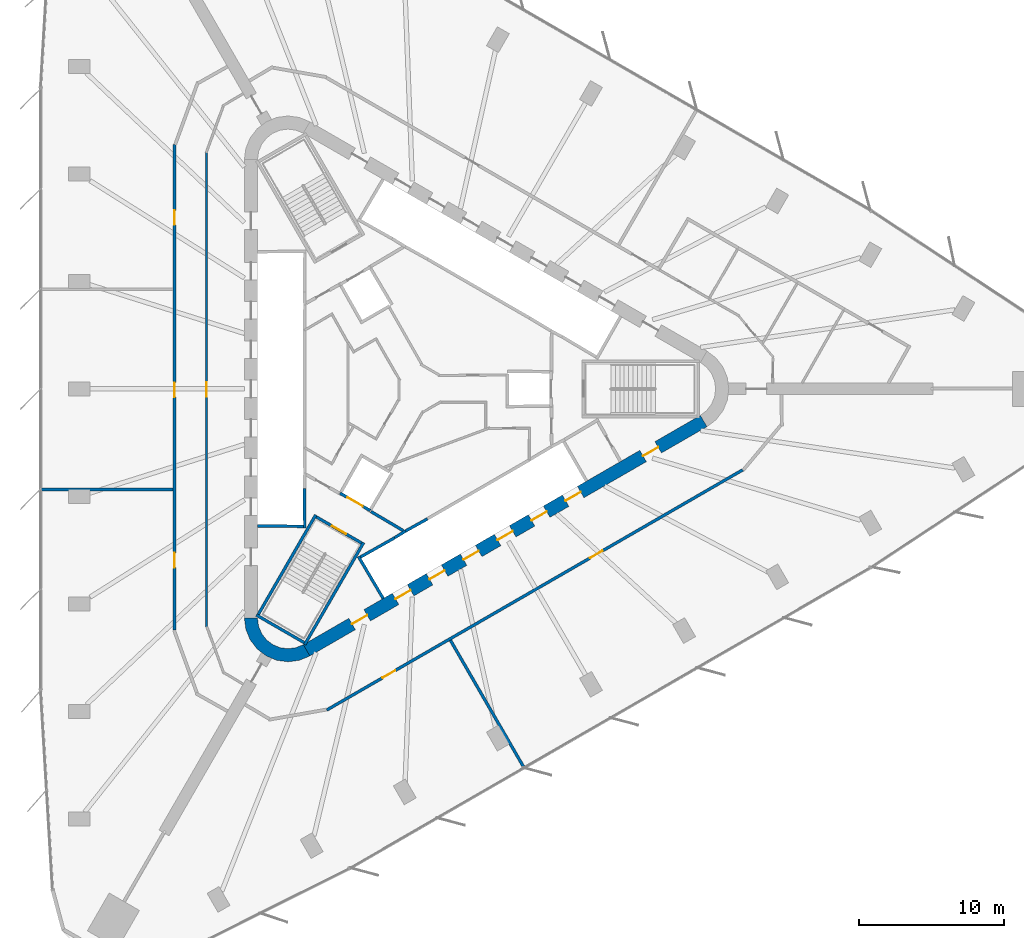
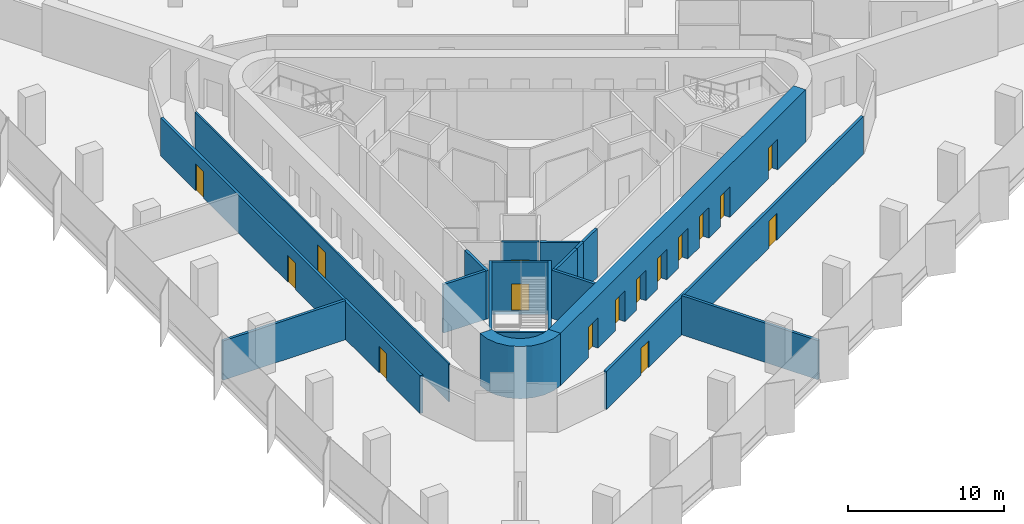
# One storey, part 9 of 14: 19 walls, 16 doors, 16 openings.
"""IFC4 building model written with IfcOpenShell, lengths in metres."""

from ifc_helpers import new_model, si_unit, direction, frame, frame_2d, origin, place, context, subcontext, project, spatial, polyline, rectangle, outline, extrude, material, layer, layer_set, type_object, element, fill, save


model = new_model("IFC4")

# Units and contexts
model_context = context("Model", 3, precision=1e-05, world=origin(), true_north=direction((0.0, 1.0)))
body_context = subcontext(model_context, "Body", "Model", "MODEL_VIEW")
ifc_project = project(units=[si_unit("LENGTHUNIT", "METRE"), si_unit("AREAUNIT", "SQUARE_METRE"), si_unit("VOLUMEUNIT", "CUBIC_METRE"), si_unit("PLANEANGLEUNIT", "RADIAN"), si_unit("MASSUNIT", "GRAM", prefix="KILO")], contexts=[model_context])

# Site, building, storey
site_placement = place(None, origin())
site = spatial("IfcSite", under=ifc_project, at=site_placement, CompositionType="ELEMENT")
building_placement = place(site_placement, origin())
building = spatial("IfcBuilding", under=site, at=building_placement, Name="Tanit Gate Tower", CompositionType="ELEMENT")
storey_placement = place(building_placement, frame((0.0, 0.0, 45.5)))
storey = spatial("IfcBuildingStorey", under=building, at=storey_placement, Name="L07", CompositionType="ELEMENT", Elevation=45.5)

# Wall, openings, doors
ifc_material_1 = material(Name="Concrete C60/75", Category="concrete")
ifc_layer_1 = layer(ifc_material_1, 0.89990234375)
ifc_layer_set_1 = layer_set([ifc_layer_1], Name="CORE WALL 900 C60/75")
wall_type_1 = type_object("IfcWallType", Name="CORE WALL 900 C60/75", PredefinedType="SHEAR", material=ifc_layer_set_1)
wall_1_placement = place(storey_placement, frame((-7.824951171875, -17.969970703125, 0.0), z_axis=(0.0, 0.0, 1.0), x_axis=(0.866028369851, 0.499994862586, 0.0)))
wall_1 = element("IfcWall", 1, at=wall_1_placement, inside=storey, type_object=wall_type_1, Name="CORE WALL", PredefinedType="SHEAR", context=body_context, shape_type="SweptSolid", body=[
    extrude(rectangle(XDim=31.523193359375, YDim=0.89990234375, at=frame_2d((15.76171875, 0.0))), origin(), (0.0, 0.0, 1.0), 4.10009765625),
])
opening_1_placement = place(wall_1_placement, frame((7.061767578125, 0.0, 0.0)))
opening_1 = element("IfcOpeningElement", 2, at=opening_1_placement, cuts=wall_1, Name="Opening LDSX1-S00", PredefinedType="OPENING", context=body_context, shape_type="SweptSolid", body=[
    extrude(rectangle(XDim=1.199951171875, YDim=2.39990234375, at=frame_2d((0.60009765625, 1.199951171875))), frame((0.0, 0.4599609375, 0.0), z_axis=(0.0, -1.0, 0.0), x_axis=(1.0, 0.0, 0.0)), (0.0, 0.0, 1.0), 0.919921875),
])
opening_2_placement = place(wall_1_placement, frame((9.76171875, 0.0, 0.0)))
opening_2 = element("IfcOpeningElement", 3, at=opening_2_placement, cuts=wall_1, Name="Opening LDSX2-S00", PredefinedType="OPENING", context=body_context, shape_type="SweptSolid", body=[
    extrude(rectangle(XDim=1.199951171875, YDim=2.39990234375, at=frame_2d((0.60009765625, 1.199951171875))), frame((0.0, 0.4599609375, 0.0), z_axis=(0.0, -1.0, 0.0), x_axis=(1.0, 0.0, 0.0)), (0.0, 0.0, 1.0), 0.919921875),
])
opening_3_placement = place(wall_1_placement, frame((12.461669921875, 0.0, 0.0)))
opening_3 = element("IfcOpeningElement", 4, at=opening_3_placement, cuts=wall_1, Name="Opening LDSX3-S00", PredefinedType="OPENING", context=body_context, shape_type="SweptSolid", body=[
    extrude(rectangle(XDim=1.199951171875, YDim=2.39990234375, at=frame_2d((0.60009765625, 1.199951171875))), frame((0.0, 0.4599609375, 0.0), z_axis=(0.0, -1.0, 0.0), x_axis=(1.0, 0.0, 0.0)), (0.0, 0.0, 1.0), 0.919921875),
])
opening_4_placement = place(wall_1_placement, frame((15.16162109375, 0.0, 0.0)))
opening_4 = element("IfcOpeningElement", 5, at=opening_4_placement, cuts=wall_1, Name="Opening LDSX4-S00", PredefinedType="OPENING", context=body_context, shape_type="SweptSolid", body=[
    extrude(rectangle(XDim=1.199951171875, YDim=2.39990234375, at=frame_2d((0.60009765625, 1.199951171875))), frame((0.0, 0.4599609375, 0.0), z_axis=(0.0, -1.0, 0.0), x_axis=(1.0, 0.0, 0.0)), (0.0, 0.0, 1.0), 0.919921875),
])
opening_5_placement = place(wall_1_placement, frame((17.861572265625, 0.0, 0.0)))
opening_5 = element("IfcOpeningElement", 6, at=opening_5_placement, cuts=wall_1, Name="Opening LDSV1-S00", PredefinedType="OPENING", context=body_context, shape_type="SweptSolid", body=[
    extrude(rectangle(XDim=1.199951171875, YDim=2.39990234375, at=frame_2d((0.60009765625, 1.199951171875))), frame((0.0, 0.4599609375, 0.0), z_axis=(0.0, -1.0, 0.0), x_axis=(1.0, 0.0, 0.0)), (0.0, 0.0, 1.0), 0.919921875),
])
opening_6_placement = place(wall_1_placement, frame((20.561767578125, 0.0, 0.0)))
opening_6 = element("IfcOpeningElement", 7, at=opening_6_placement, cuts=wall_1, Name="Opening LDSV2-S00", PredefinedType="OPENING", context=body_context, shape_type="SweptSolid", body=[
    extrude(rectangle(XDim=1.199951171875, YDim=2.39990234375, at=frame_2d((0.60009765625, 1.199951171875))), frame((0.0, 0.4599609375, 0.0), z_axis=(0.0, -1.0, 0.0), x_axis=(1.0, 0.0, 0.0)), (0.0, 0.0, 1.0), 0.919921875),
])
opening_7_placement = place(wall_1_placement, frame((26.711669921875, 0.0, 0.0)))
opening_7 = element("IfcOpeningElement", 8, at=opening_7_placement, cuts=wall_1, Name="Opening F12-S00-S1", PredefinedType="OPENING", context=body_context, shape_type="SweptSolid", body=[
    extrude(rectangle(XDim=1.199951171875, YDim=2.39990234375, at=frame_2d((0.60009765625, 1.199951171875))), frame((0.0, 0.4599609375, 0.0), z_axis=(0.0, -1.0, 0.0), x_axis=(1.0, 0.0, 0.0)), (0.0, 0.0, 1.0), 0.919921875),
])
opening_8_placement = place(wall_1_placement, frame((3.611572265625, 0.0, 0.0)))
opening_8 = element("IfcOpeningElement", 9, at=opening_8_placement, cuts=wall_1, Name="Opening F12-S00-FL3", PredefinedType="OPENING", context=body_context, shape_type="SweptSolid", body=[
    extrude(rectangle(XDim=1.199951171875, YDim=2.39990234375, at=frame_2d((0.60009765625, 1.199951171875))), frame((0.0, 0.4599609375, 0.0), z_axis=(0.0, -1.0, 0.0), x_axis=(1.0, 0.0, 0.0)), (0.0, 0.0, 1.0), 0.919921875),
])
ifc_material_2 = material(Name="Fire-rated steel door leaf", Category="steel")
door_type_1 = type_object("IfcDoorType", Name="INT-DOOR-FIRE-LOBBY-1200", OperationType="NOTDEFINED", PredefinedType="USERDEFINED", material=ifc_material_2)
door_1_placement = place(opening_7_placement, origin())
door_1 = element("IfcDoor", 10, at=door_1_placement, inside=storey, type_object=door_type_1, Name="Door F12-S00-S1", ObjectType="FIRE DOOR", OperationType="SINGLE_SWING_RIGHT", OverallHeight=2.39990234375, OverallWidth=1.199951171875, PredefinedType="USERDEFINED", context=body_context, shape_type="SweptSolid", body=[
    extrude(rectangle(XDim=1.199951171875, YDim=2.39990234375, at=frame_2d((0.60009765625, 1.199951171875))), frame((0.0, 0.02490234375, 0.0), z_axis=(0.0, -1.0, 0.0), x_axis=(1.0, 0.0, 0.0)), (0.0, 0.0, 1.0), 0.050048828125),
])
fill(opening_7, door_1)
door_2_placement = place(opening_8_placement, origin())
door_2 = element("IfcDoor", 11, at=door_2_placement, inside=storey, type_object=door_type_1, Name="Door F12-S00-FL3", ObjectType="FIRE DOOR", OperationType="SINGLE_SWING_LEFT", OverallHeight=2.39990234375, OverallWidth=1.199951171875, PredefinedType="USERDEFINED", context=body_context, shape_type="SweptSolid", body=[
    extrude(rectangle(XDim=1.199951171875, YDim=2.39990234375, at=frame_2d((0.60009765625, 1.199951171875))), frame((0.0, 0.02490234375, 0.0), z_axis=(0.0, -1.0, 0.0), x_axis=(1.0, 0.0, 0.0)), (0.0, 0.0, 1.0), 0.050048828125),
])
fill(opening_8, door_2)
ifc_material_3 = material(Name="Stainless steel sliding door leaf", Category="steel")
door_type_2 = type_object("IfcDoorType", Name="INT-DOOR-LANDING-1200", OperationType="NOTDEFINED", PredefinedType="USERDEFINED", material=ifc_material_3)
door_3_placement = place(opening_1_placement, origin())
door_3 = element("IfcDoor", 12, at=door_3_placement, inside=storey, type_object=door_type_2, Name="Door LDSX1-S00", ObjectType="LANDING DOOR", OperationType="SLIDING_TO_LEFT", OverallHeight=2.39990234375, OverallWidth=1.199951171875, PredefinedType="USERDEFINED", context=body_context, shape_type="SweptSolid", body=[
    extrude(rectangle(XDim=1.199951171875, YDim=2.39990234375, at=frame_2d((0.60009765625, 1.199951171875))), frame((0.0, 0.02490234375, 0.0), z_axis=(0.0, -1.0, 0.0), x_axis=(1.0, 0.0, 0.0)), (0.0, 0.0, 1.0), 0.050048828125),
])
fill(opening_1, door_3)
door_4_placement = place(opening_2_placement, origin())
door_4 = element("IfcDoor", 13, at=door_4_placement, inside=storey, type_object=door_type_2, Name="Door LDSX2-S00", ObjectType="LANDING DOOR", OperationType="SLIDING_TO_LEFT", OverallHeight=2.39990234375, OverallWidth=1.199951171875, PredefinedType="USERDEFINED", context=body_context, shape_type="SweptSolid", body=[
    extrude(rectangle(XDim=1.199951171875, YDim=2.39990234375, at=frame_2d((0.60009765625, 1.199951171875))), frame((0.0, 0.02490234375, 0.0), z_axis=(0.0, -1.0, 0.0), x_axis=(1.0, 0.0, 0.0)), (0.0, 0.0, 1.0), 0.050048828125),
])
fill(opening_2, door_4)
door_5_placement = place(opening_3_placement, origin())
door_5 = element("IfcDoor", 14, at=door_5_placement, inside=storey, type_object=door_type_2, Name="Door LDSX3-S00", ObjectType="LANDING DOOR", OperationType="SLIDING_TO_LEFT", OverallHeight=2.39990234375, OverallWidth=1.199951171875, PredefinedType="USERDEFINED", context=body_context, shape_type="SweptSolid", body=[
    extrude(rectangle(XDim=1.199951171875, YDim=2.39990234375, at=frame_2d((0.60009765625, 1.199951171875))), frame((0.0, 0.02490234375, 0.0), z_axis=(0.0, -1.0, 0.0), x_axis=(1.0, 0.0, 0.0)), (0.0, 0.0, 1.0), 0.050048828125),
])
fill(opening_3, door_5)
door_6_placement = place(opening_4_placement, origin())
door_6 = element("IfcDoor", 15, at=door_6_placement, inside=storey, type_object=door_type_2, Name="Door LDSX4-S00", ObjectType="LANDING DOOR", OperationType="SLIDING_TO_LEFT", OverallHeight=2.39990234375, OverallWidth=1.199951171875, PredefinedType="USERDEFINED", context=body_context, shape_type="SweptSolid", body=[
    extrude(rectangle(XDim=1.199951171875, YDim=2.39990234375, at=frame_2d((0.60009765625, 1.199951171875))), frame((0.0, 0.02490234375, 0.0), z_axis=(0.0, -1.0, 0.0), x_axis=(1.0, 0.0, 0.0)), (0.0, 0.0, 1.0), 0.050048828125),
])
fill(opening_4, door_6)
door_7_placement = place(opening_5_placement, origin())
door_7 = element("IfcDoor", 16, at=door_7_placement, inside=storey, type_object=door_type_2, Name="Door LDSV1-S00", ObjectType="LANDING DOOR", OperationType="SLIDING_TO_LEFT", OverallHeight=2.39990234375, OverallWidth=1.199951171875, PredefinedType="USERDEFINED", context=body_context, shape_type="SweptSolid", body=[
    extrude(rectangle(XDim=1.199951171875, YDim=2.39990234375, at=frame_2d((0.60009765625, 1.199951171875))), frame((0.0, 0.02490234375, 0.0), z_axis=(0.0, -1.0, 0.0), x_axis=(1.0, 0.0, 0.0)), (0.0, 0.0, 1.0), 0.050048828125),
])
fill(opening_5, door_7)
door_8_placement = place(opening_6_placement, origin())
door_8 = element("IfcDoor", 17, at=door_8_placement, inside=storey, type_object=door_type_2, Name="Door LDSV2-S00", ObjectType="LANDING DOOR", OperationType="SLIDING_TO_LEFT", OverallHeight=2.39990234375, OverallWidth=1.199951171875, PredefinedType="USERDEFINED", context=body_context, shape_type="SweptSolid", body=[
    extrude(rectangle(XDim=1.199951171875, YDim=2.39990234375, at=frame_2d((0.60009765625, 1.199951171875))), frame((0.0, 0.02490234375, 0.0), z_axis=(0.0, -1.0, 0.0), x_axis=(1.0, 0.0, 0.0)), (0.0, 0.0, 1.0), 0.050048828125),
])
fill(opening_6, door_8)

# Walls
wall_2_placement = place(storey_placement, origin())
element("IfcWall", 18, at=wall_2_placement, inside=storey, type_object=wall_type_1, Name="CORE WALL CORNER", PredefinedType="SHEAR", context=body_context, shape_type="SweptSolid", body=[
    extrude(outline(polyline([(-12.10009765625, -15.76171875), (-11.997802734375, -16.5380859375), (-11.697998046875, -17.26171875), (-11.22119140625, -17.883056640625), (-10.60009765625, -18.359619140625), (-9.87646484375, -18.659423828125), (-9.10009765625, -18.76171875), (-8.323486328125, -18.659423828125), (-7.60009765625, -18.359619140625), (-8.050048828125, -17.580322265625), (-8.556396484375, -17.7900390625), (-9.10009765625, -17.86181640625), (-9.6435546875, -17.7900390625), (-10.14990234375, -17.580322265625), (-10.5849609375, -17.24658203125), (-10.918701171875, -16.811767578125), (-11.12841796875, -16.30517578125), (-11.199951171875, -15.76171875), (-12.10009765625, -15.76171875)])), origin(), (0.0, 0.0, 1.0), 4.10009765625),
])
ifc_material_4 = material(Name="Fire-rated gypsum board partition")
ifc_layer_2 = layer(ifc_material_4, 0.199951171875)
ifc_layer_set_2 = layer_set([ifc_layer_2], Name="INT-WALL-COMPARTMENT")
wall_type_2 = type_object("IfcWallType", Name="INT-WALL-COMPARTMENT", PredefinedType="PARTITIONING", material=ifc_layer_set_2)
wall_3_placement = place(storey_placement, frame((-3.400634765625, -8.43017578125, 0.0), z_axis=(0.0, 0.0, 1.0), x_axis=(0.860615607571, -0.509255118781, 0.0)))
element("IfcWall", 19, at=wall_3_placement, inside=storey, type_object=wall_type_2, Name="Wall Compartment W063", PredefinedType="PARTITIONING", context=body_context, shape_type="SweptSolid", body=[
    extrude(rectangle(XDim=2.58056640625, YDim=0.199951171875, at=frame_2d((1.290283203125, 0.0))), origin(), (0.0, 0.0, 1.0), 3.800048828125),
])

# Wall, openings, doors
wall_4_placement = place(storey_placement, frame((-16.89990234375, 16.787353515625, 0.0), z_axis=(0.0, 0.0, 1.0), x_axis=(0.0, -1.0, 0.0)))
wall_4 = element("IfcWall", 20, at=wall_4_placement, inside=storey, type_object=wall_type_2, Name="Wall Compartment W097", PredefinedType="PARTITIONING", context=body_context, shape_type="SweptSolid", body=[
    extrude(rectangle(XDim=33.374755859375, YDim=0.199951171875, at=frame_2d((16.6875, 0.0))), origin(), (0.0, 0.0, 1.0), 2.97998046875),
])
opening_9_placement = place(wall_4_placement, frame((28.066650390625, 0.0, 0.0)))
opening_9 = element("IfcOpeningElement", 21, at=opening_9_placement, cuts=wall_4, Name="Opening F10-S00-21", PredefinedType="OPENING", context=body_context, shape_type="SweptSolid", body=[
    extrude(rectangle(XDim=1.0, YDim=2.10009765625, at=frame_2d((0.5, 1.050048828125))), frame((0.0, 0.10986328125, 0.0), z_axis=(0.0, -1.0, 0.0), x_axis=(1.0, 0.0, 0.0)), (0.0, 0.0, 1.0), 0.219970703125),
])
opening_10_placement = place(wall_4_placement, frame((16.3466796875, 0.0, 0.0)))
opening_10 = element("IfcOpeningElement", 22, at=opening_10_placement, cuts=wall_4, Name="Opening F10-S00-22", PredefinedType="OPENING", context=body_context, shape_type="SweptSolid", body=[
    extrude(rectangle(XDim=1.0, YDim=2.10009765625, at=frame_2d((0.5, 1.050048828125))), frame((0.0, 0.10986328125, 0.0), z_axis=(0.0, -1.0, 0.0), x_axis=(1.0, 0.0, 0.0)), (0.0, 0.0, 1.0), 0.219970703125),
])
opening_11_placement = place(wall_4_placement, frame((4.517578125, 0.0, 0.0)))
opening_11 = element("IfcOpeningElement", 23, at=opening_11_placement, cuts=wall_4, Name="Opening F10-S00-23", PredefinedType="OPENING", context=body_context, shape_type="SweptSolid", body=[
    extrude(rectangle(XDim=1.0, YDim=2.10009765625, at=frame_2d((0.5, 1.050048828125))), frame((0.0, 0.10986328125, 0.0), z_axis=(0.0, -1.0, 0.0), x_axis=(1.0, 0.0, 0.0)), (0.0, 0.0, 1.0), 0.219970703125),
])
ifc_material_5 = material(Name="Fire-rated steel door leaf", Category="steel")
door_type_3 = type_object("IfcDoorType", Name="INT-DOOR-FIRE-1000", OperationType="NOTDEFINED", PredefinedType="USERDEFINED", material=ifc_material_5)
door_9_placement = place(opening_9_placement, origin())
door_9 = element("IfcDoor", 24, at=door_9_placement, inside=storey, type_object=door_type_3, Name="Door F10-S00-21", ObjectType="FIRE DOOR", OperationType="SINGLE_SWING_RIGHT", OverallHeight=2.10009765625, OverallWidth=1.0, PredefinedType="USERDEFINED", context=body_context, shape_type="SweptSolid", body=[
    extrude(rectangle(XDim=1.0, YDim=2.10009765625, at=frame_2d((0.5, 1.050048828125))), frame((0.0, 0.02490234375, 0.0), z_axis=(0.0, -1.0, 0.0), x_axis=(1.0, 0.0, 0.0)), (0.0, 0.0, 1.0), 0.050048828125),
])
fill(opening_9, door_9)
door_10_placement = place(opening_10_placement, origin())
door_10 = element("IfcDoor", 25, at=door_10_placement, inside=storey, type_object=door_type_3, Name="Door F10-S00-22", ObjectType="FIRE DOOR", OperationType="SINGLE_SWING_LEFT", OverallHeight=2.10009765625, OverallWidth=1.0, PredefinedType="USERDEFINED", context=body_context, shape_type="SweptSolid", body=[
    extrude(rectangle(XDim=1.0, YDim=2.10009765625, at=frame_2d((0.5, 1.050048828125))), frame((0.0, 0.02490234375, 0.0), z_axis=(0.0, -1.0, 0.0), x_axis=(1.0, 0.0, 0.0)), (0.0, 0.0, 1.0), 0.050048828125),
])
fill(opening_10, door_10)
door_11_placement = place(opening_11_placement, origin())
door_11 = element("IfcDoor", 26, at=door_11_placement, inside=storey, type_object=door_type_3, Name="Door F10-S00-23", ObjectType="FIRE DOOR", OperationType="SINGLE_SWING_LEFT", OverallHeight=2.10009765625, OverallWidth=1.0, PredefinedType="USERDEFINED", context=body_context, shape_type="SweptSolid", body=[
    extrude(rectangle(XDim=1.0, YDim=2.10009765625, at=frame_2d((0.5, 1.050048828125))), frame((0.0, 0.02490234375, 0.0), z_axis=(0.0, -1.0, 0.0), x_axis=(1.0, 0.0, 0.0)), (0.0, 0.0, 1.0), 0.050048828125),
])
fill(opening_11, door_11)

wall_5_placement = place(storey_placement, frame((-6.435546875, -22.075439453125, 0.0), z_axis=(0.0, 0.0, 1.0), x_axis=(0.866022453651, 0.500005109747, 0.0)))
wall_5 = element("IfcWall", 27, at=wall_5_placement, inside=storey, type_object=wall_type_2, Name="Wall Compartment W112", PredefinedType="PARTITIONING", context=body_context, shape_type="SweptSolid", body=[
    extrude(rectangle(XDim=33.022216796875, YDim=0.199951171875, at=frame_2d((16.51123046875, 0.0))), origin(), (0.0, 0.0, 1.0), 2.97998046875),
])
opening_12_placement = place(wall_5_placement, frame((20.890380859375, 0.0, 0.0)))
opening_12 = element("IfcOpeningElement", 28, at=opening_12_placement, cuts=wall_5, Name="Opening F10-S00-26", PredefinedType="OPENING", context=body_context, shape_type="SweptSolid", body=[
    extrude(rectangle(XDim=1.0, YDim=2.10009765625, at=frame_2d((0.5, 1.050048828125))), frame((0.0, 0.10986328125, 0.0), z_axis=(0.0, -1.0, 0.0), x_axis=(1.0, 0.0, 0.0)), (0.0, 0.0, 1.0), 0.219970703125),
])
opening_13_placement = place(wall_5_placement, frame((4.42919921875, 0.0, 0.0)))
opening_13 = element("IfcOpeningElement", 29, at=opening_13_placement, cuts=wall_5, Name="Opening F10-S00-27", PredefinedType="OPENING", context=body_context, shape_type="SweptSolid", body=[
    extrude(rectangle(XDim=1.0, YDim=2.10009765625, at=frame_2d((0.5, 1.050048828125))), frame((0.0, 0.10986328125, 0.0), z_axis=(0.0, -1.0, 0.0), x_axis=(1.0, 0.0, 0.0)), (0.0, 0.0, 1.0), 0.219970703125),
])
door_12_placement = place(opening_12_placement, origin())
door_12 = element("IfcDoor", 30, at=door_12_placement, inside=storey, type_object=door_type_3, Name="Door F10-S00-26", ObjectType="FIRE DOOR", OperationType="SINGLE_SWING_LEFT", OverallHeight=2.10009765625, OverallWidth=1.0, PredefinedType="USERDEFINED", context=body_context, shape_type="SweptSolid", body=[
    extrude(rectangle(XDim=1.0, YDim=2.10009765625, at=frame_2d((0.5, 1.050048828125))), frame((0.0, 0.02490234375, 0.0), z_axis=(0.0, -1.0, 0.0), x_axis=(1.0, 0.0, 0.0)), (0.0, 0.0, 1.0), 0.050048828125),
])
fill(opening_12, door_12)
door_13_placement = place(opening_13_placement, origin())
door_13 = element("IfcDoor", 31, at=door_13_placement, inside=storey, type_object=door_type_3, Name="Door F10-S00-27", ObjectType="FIRE DOOR", OperationType="SINGLE_SWING_RIGHT", OverallHeight=2.10009765625, OverallWidth=1.0, PredefinedType="USERDEFINED", context=body_context, shape_type="SweptSolid", body=[
    extrude(rectangle(XDim=1.0, YDim=2.10009765625, at=frame_2d((0.5, 1.050048828125))), frame((0.0, 0.02490234375, 0.0), z_axis=(0.0, -1.0, 0.0), x_axis=(1.0, 0.0, 0.0)), (0.0, 0.0, 1.0), 0.050048828125),
])
fill(opening_13, door_13)

# Walls
wall_6_placement = place(storey_placement, frame((-17.0, -6.9111328125, 0.0), z_axis=(0.0, 0.0, 1.0), x_axis=(-0.999999996767, -8.0416019e-05, 0.0)))
element("IfcWall", 32, at=wall_6_placement, inside=storey, type_object=wall_type_2, Name="Wall Compartment W115", PredefinedType="PARTITIONING", context=body_context, shape_type="SweptSolid", body=[
    extrude(rectangle(XDim=9.10791015625, YDim=0.199951171875, at=frame_2d((4.553955078125, 0.0))), origin(), (0.0, 0.0, 1.0), 3.080078125),
])
wall_7_placement = place(storey_placement, frame((2.065673828125, -17.28271484375, 0.0), z_axis=(0.0, 0.0, 1.0), x_axis=(0.5000534592, -0.865994536901, 0.0)))
element("IfcWall", 33, at=wall_7_placement, inside=storey, type_object=wall_type_2, Name="Wall Compartment W130", PredefinedType="PARTITIONING", context=body_context, shape_type="SweptSolid", body=[
    extrude(rectangle(XDim=10.10888671875, YDim=0.199951171875, at=frame_2d((5.054443359375, 0.0))), origin(), (0.0, 0.0, 1.0), 3.080078125),
])

# Wall, opening, door
ifc_material_6 = material(Name="Gypsum board partition")
ifc_layer_3 = layer(ifc_material_6, 0.1201171875)
ifc_layer_set_3 = layer_set([ifc_layer_3], Name="INT-WALL-PARTITION")
wall_type_3 = type_object("IfcWallType", Name="INT-WALL-PARTITION", PredefinedType="PARTITIONING", material=ifc_layer_set_3)
wall_8_placement = place(storey_placement, frame((-14.699951171875, 16.239501953125, 0.0), z_axis=(0.0, 0.0, 1.0), x_axis=(0.0, -1.0, 0.0)))
wall_8 = element("IfcWall", 34, at=wall_8_placement, inside=storey, type_object=wall_type_3, Name="Wall Partition W090", PredefinedType="PARTITIONING", context=body_context, shape_type="SweptSolid", body=[
    extrude(rectangle(XDim=32.598876953125, YDim=0.1201171875, at=frame_2d((16.29931640625, 0.0))), origin(), (0.0, 0.0, 1.0), 2.97998046875),
])
opening_14_placement = place(wall_8_placement, frame((15.76953125, 0.0, 0.0)))
opening_14 = element("IfcOpeningElement", 35, at=opening_14_placement, cuts=wall_8, Name="Opening D10-S00-16", PredefinedType="OPENING", context=body_context, shape_type="SweptSolid", body=[
    extrude(rectangle(XDim=1.0, YDim=2.10009765625, at=frame_2d((0.5, 1.050048828125))), frame((0.0, 0.070068359375, 0.0), z_axis=(0.0, -1.0, 0.0), x_axis=(1.0, 0.0, 0.0)), (0.0, 0.0, 1.0), 0.14013671875),
])
ifc_material_7 = material(Name="Timber door leaf", Category="wood")
door_type_4 = type_object("IfcDoorType", Name="INT-DOOR-SINGLE-1000", OperationType="NOTDEFINED", PredefinedType="NOTDEFINED", material=ifc_material_7)
door_14_placement = place(opening_14_placement, origin())
door_14 = element("IfcDoor", 36, at=door_14_placement, inside=storey, type_object=door_type_4, Name="Door D10-S00-16", OperationType="SINGLE_SWING_RIGHT", OverallHeight=2.10009765625, OverallWidth=1.0, PredefinedType="NOTDEFINED", context=body_context, shape_type="SweptSolid", body=[
    extrude(rectangle(XDim=1.0, YDim=2.10009765625, at=frame_2d((0.5, 1.050048828125))), frame((0.0, 0.02490234375, 0.0), z_axis=(0.0, -1.0, 0.0), x_axis=(1.0, 0.0, 0.0)), (0.0, 0.0, 1.0), 0.050048828125),
])
fill(opening_14, door_14)

# Walls
ifc_material_8 = material(Name="Gypsum shaft wall system")
ifc_layer_4 = layer(ifc_material_8, 0.199951171875)
ifc_layer_set_4 = layer_set([ifc_layer_4], Name="INT-WALL-SHAFT")
wall_type_4 = type_object("IfcWallType", Name="INT-WALL-SHAFT", PredefinedType="PLUMBINGWALL", material=ifc_layer_set_4)
wall_9_placement = place(storey_placement, frame((-7.97900390625, -6.85009765625, 0.0), z_axis=(0.0, 0.0, 1.0), x_axis=(0.011121475088, -0.999938154483, 0.0)))
element("IfcWall", 37, at=wall_9_placement, inside=storey, type_object=wall_type_4, Name="Wall Shaft W011", PredefinedType="PLUMBINGWALL", context=body_context, shape_type="SweptSolid", body=[
    extrude(rectangle(XDim=2.7001953125, YDim=0.199951171875, at=frame_2d((1.35009765625, 0.0))), origin(), (0.0, 0.0, 1.0), 3.800048828125),
])
wall_10_placement = place(storey_placement, frame((-8.050048828125, -9.448974609375, 0.0), z_axis=(0.0, 0.0, 1.0), x_axis=(-0.999957467379, 0.009222983926, 0.0)))
element("IfcWall", 38, at=wall_10_placement, inside=storey, type_object=wall_type_4, Name="Wall Shaft W012", PredefinedType="PLUMBINGWALL", context=body_context, shape_type="SweptSolid", body=[
    extrude(rectangle(XDim=3.150146484375, YDim=0.199951171875, at=frame_2d((1.5751953125, 0.0))), origin(), (0.0, 0.0, 1.0), 3.800048828125),
])
wall_11_placement = place(storey_placement, frame((-2.557861328125, -14.409423828125, 0.0), z_axis=(0.0, 0.0, 1.0), x_axis=(-0.507997497166, 0.861358544901, 0.0)))
element("IfcWall", 39, at=wall_11_placement, inside=storey, type_object=wall_type_4, Name="Wall Shaft W027", PredefinedType="PLUMBINGWALL", context=body_context, shape_type="SweptSolid", body=[
    extrude(rectangle(XDim=3.350341796875, YDim=0.199951171875, at=frame_2d((1.67529296875, 0.0))), origin(), (0.0, 0.0, 1.0), 3.800048828125),
])
wall_12_placement = place(storey_placement, frame((-1.7685546875, -10.23681640625, 0.0), z_axis=(0.0, 0.0, 1.0), x_axis=(-0.871534483978, -0.490334215854, 0.0)))
element("IfcWall", 40, at=wall_12_placement, inside=storey, type_object=wall_type_4, Name="Wall Shaft W028", PredefinedType="PLUMBINGWALL", context=body_context, shape_type="SweptSolid", body=[
    extrude(rectangle(XDim=2.7001953125, YDim=0.199951171875, at=frame_2d((1.35009765625, 0.0))), origin(), (0.0, 0.0, 1.0), 3.800048828125),
])
wall_13_placement = place(storey_placement, frame((-1.02392578125, -9.77099609375, 0.0), z_axis=(0.0, 0.0, 1.0), x_axis=(-0.850348075135, -0.526220629693, 0.0)))
element("IfcWall", 41, at=wall_13_placement, inside=storey, type_object=wall_type_4, Name="Wall Shaft W029", PredefinedType="PLUMBINGWALL", context=body_context, shape_type="SweptSolid", body=[
    extrude(rectangle(XDim=0.878173828125, YDim=0.199951171875, at=frame_2d((0.43896484375, 0.0))), origin(), (0.0, 0.0, 1.0), 3.800048828125),
])
wall_14_placement = place(storey_placement, frame((-1.130126953125, -9.831298828125, 0.0), z_axis=(0.0, 0.0, 1.0), x_axis=(0.874269620932, 0.485440655401, 0.0)))
element("IfcWall", 42, at=wall_14_placement, inside=storey, type_object=wall_type_4, Name="Wall Shaft W030", PredefinedType="PLUMBINGWALL", context=body_context, shape_type="SweptSolid", body=[
    extrude(rectangle(XDim=1.8447265625, YDim=0.199951171875, at=frame_2d((0.92236328125, 0.0))), origin(), (0.0, 0.0, 1.0), 3.800048828125),
])

# Wall, opening, door
wall_15_placement = place(storey_placement, frame((-3.44580078125, -8.3681640625, 0.0), z_axis=(0.0, 0.0, 1.0), x_axis=(-0.866024647952, 0.500001309137, 0.0)))
wall_15 = element("IfcWall", 43, at=wall_15_placement, inside=storey, type_object=wall_type_4, Name="Wall Shaft W053", PredefinedType="PLUMBINGWALL", context=body_context, shape_type="SweptSolid", body=[
    extrude(rectangle(XDim=2.39990234375, YDim=0.199951171875, at=frame_2d((1.199951171875, 0.0))), origin(), (0.0, 0.0, 1.0), 3.800048828125),
])
opening_15_placement = place(wall_15_placement, frame((0.60009765625, 0.0, 0.0)))
opening_15 = element("IfcOpeningElement", 44, at=opening_15_placement, cuts=wall_15, Name="Opening LDFL3-L07", PredefinedType="OPENING", context=body_context, shape_type="SweptSolid", body=[
    extrude(rectangle(XDim=1.199951171875, YDim=2.39990234375, at=frame_2d((0.60009765625, 1.199951171875))), frame((0.0, 0.10986328125, 0.0), z_axis=(0.0, -1.0, 0.0), x_axis=(1.0, 0.0, 0.0)), (0.0, 0.0, 1.0), 0.219970703125),
])
door_15_placement = place(opening_15_placement, origin())
door_15 = element("IfcDoor", 45, at=door_15_placement, inside=storey, type_object=door_type_2, Name="Door LDFL3-L07", ObjectType="LANDING DOOR", OperationType="SLIDING_TO_LEFT", OverallHeight=2.39990234375, OverallWidth=1.199951171875, PredefinedType="USERDEFINED", context=body_context, shape_type="SweptSolid", body=[
    extrude(rectangle(XDim=1.199951171875, YDim=2.39990234375, at=frame_2d((0.60009765625, 1.199951171875))), frame((0.0, 0.02490234375, 0.0), z_axis=(0.0, -1.0, 0.0), x_axis=(1.0, 0.0, 0.0)), (0.0, 0.0, 1.0), 0.050048828125),
])
fill(opening_15, door_15)

# Walls
ifc_material_9 = material(Name="Concrete C40/50", Category="concrete")
ifc_layer_5 = layer(ifc_material_9, 0.199951171875)
ifc_layer_set_5 = layer_set([ifc_layer_5], Name="INT-WALL-STAIR")
wall_type_5 = type_object("IfcWallType", Name="INT-WALL-STAIR", PredefinedType="SHEAR", material=ifc_layer_set_5)
wall_16_placement = place(storey_placement, frame((-3.904541015625, -10.56298828125, -0.300048828125), z_axis=(0.0, 0.0, 1.0), x_axis=(-0.500012932018, -0.866017937352, 0.0)))
element("IfcWall", 46, at=wall_16_placement, inside=storey, type_object=wall_type_5, Name="Wall Stair W049", PredefinedType="SHEAR", context=body_context, shape_type="SweptSolid", body=[
    extrude(rectangle(XDim=8.099853515625, YDim=0.199951171875, at=frame_2d((4.0498046875, 0.0))), origin(), (0.0, 0.0, 1.0), 4.10009765625),
])
wall_17_placement = place(storey_placement, frame((-11.281982421875, -15.541015625, -0.300048828125), z_axis=(0.0, 0.0, 1.0), x_axis=(0.866000483506, -0.500043160704, 0.0)))
element("IfcWall", 47, at=wall_17_placement, inside=storey, type_object=wall_type_5, Name="Wall Stair W050", PredefinedType="SHEAR", context=body_context, shape_type="SweptSolid", body=[
    extrude(rectangle(XDim=3.800048828125, YDim=0.199951171875, at=frame_2d((1.89990234375, 0.0))), origin(), (0.0, 0.0, 1.0), 4.10009765625),
])
wall_18_placement = place(storey_placement, frame((-7.195556640625, -8.662841796875, -0.300048828125), z_axis=(0.0, 0.0, 1.0), x_axis=(-0.499997992926, -0.866026562566, 0.0)))
element("IfcWall", 48, at=wall_18_placement, inside=storey, type_object=wall_type_5, Name="Wall Stair W051", PredefinedType="SHEAR", context=body_context, shape_type="SweptSolid", body=[
    extrude(rectangle(XDim=7.89990234375, YDim=0.199951171875, at=frame_2d((3.949951171875, 0.0))), origin(), (0.0, 0.0, 1.0), 4.10009765625),
])

# Wall, opening, door
wall_19_placement = place(storey_placement, frame((-4.041259765625, -10.599365234375, -0.300048828125), z_axis=(0.0, 0.0, 1.0), x_axis=(-0.866047807691, 0.499961193289, 0.0)))
wall_19 = element("IfcWall", 49, at=wall_19_placement, inside=storey, type_object=wall_type_5, Name="Wall Stair W052", PredefinedType="SHEAR", context=body_context, shape_type="SweptSolid", body=[
    extrude(rectangle(XDim=3.599853515625, YDim=0.199951171875, at=frame_2d((1.7998046875, 0.0))), origin(), (0.0, 0.0, 1.0), 4.10009765625),
])
opening_16_placement = place(wall_19_placement, frame((1.25, 0.0, 0.300048828125)))
opening_16 = element("IfcOpeningElement", 50, at=opening_16_placement, cuts=wall_19, Name="Opening S11-S00-07", PredefinedType="OPENING", context=body_context, shape_type="SweptSolid", body=[
    extrude(rectangle(XDim=1.10009765625, YDim=2.10009765625, at=frame_2d((0.550048828125, 1.050048828125))), frame((0.0, 0.10986328125, 0.0), z_axis=(0.0, -1.0, 0.0), x_axis=(1.0, 0.0, 0.0)), (0.0, 0.0, 1.0), 0.219970703125),
])
ifc_material_10 = material(Name="Timber door leaf", Category="wood")
door_type_5 = type_object("IfcDoorType", Name="INT-DOOR-STAIR-1100", OperationType="NOTDEFINED", PredefinedType="USERDEFINED", material=ifc_material_10)
door_16_placement = place(opening_16_placement, origin())
door_16 = element("IfcDoor", 51, at=door_16_placement, inside=storey, type_object=door_type_5, Name="Door S11-S00-07", ObjectType="FIRE DOOR", OperationType="SINGLE_SWING_LEFT", OverallHeight=2.10009765625, OverallWidth=1.10009765625, PredefinedType="USERDEFINED", context=body_context, shape_type="SweptSolid", body=[
    extrude(rectangle(XDim=1.10009765625, YDim=2.10009765625, at=frame_2d((0.550048828125, 1.050048828125))), frame((0.0, 0.02490234375, 0.0), z_axis=(0.0, -1.0, 0.0), x_axis=(1.0, 0.0, 0.0)), (0.0, 0.0, 1.0), 0.050048828125),
])
fill(opening_16, door_16)

save(model, "model.ifc")
